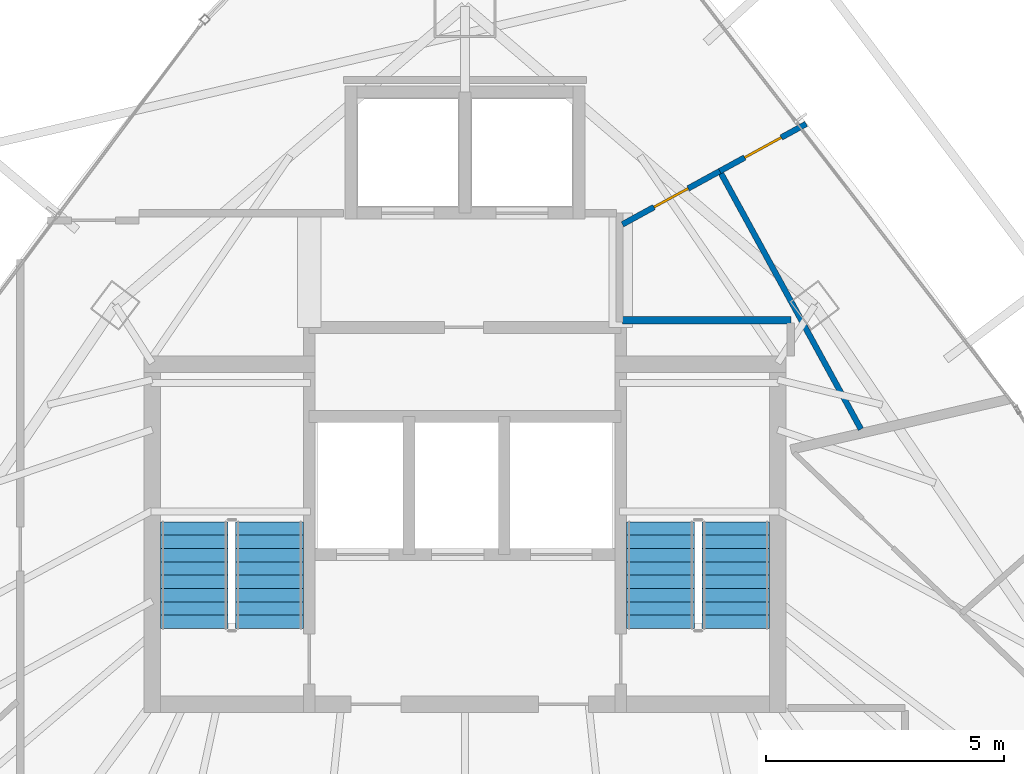
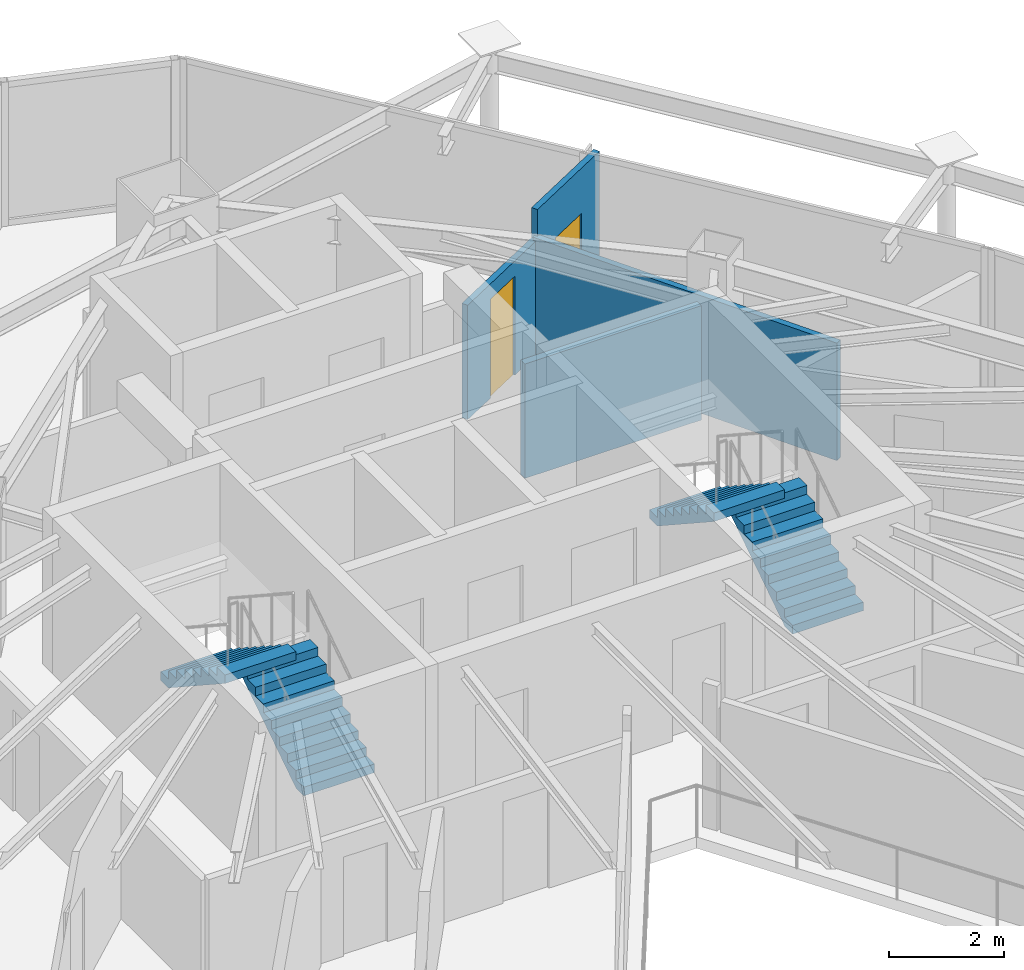
# One storey, part 29 of 32: 4 stair flights, 4 walls, 2 doors, 2 openings, 2 elements without a shape of their own.
"""IFC4 building model written with IfcOpenShell, lengths in metres."""

from ifc_helpers import new_model, si_unit, direction, frame, frame_2d, origin, place, context, subcontext, project, spatial, polyline, rectangle, outline, extrude, material, layer, layer_set, type_object, element, fill, aggregate, save


model = new_model("IFC4")

# Units and contexts
model_context = context("Model", 3, precision=1e-05, world=origin(), true_north=direction((0.0, 1.0)))
body_context = subcontext(model_context, "Body", "Model", "MODEL_VIEW")
ifc_project = project(units=[si_unit("LENGTHUNIT", "METRE"), si_unit("AREAUNIT", "SQUARE_METRE"), si_unit("VOLUMEUNIT", "CUBIC_METRE"), si_unit("PLANEANGLEUNIT", "RADIAN"), si_unit("MASSUNIT", "GRAM", prefix="KILO")], contexts=[model_context])

# Site, building, storey
site_placement = place(None, origin())
site = spatial("IfcSite", under=ifc_project, at=site_placement, CompositionType="ELEMENT")
building_placement = place(site_placement, origin())
building = spatial("IfcBuilding", under=site, at=building_placement, Name="Orvanel Arch Residences", CompositionType="ELEMENT")
storey_placement = place(building_placement, frame((0.0, 0.0, 222.800048828125)))
storey = spatial("IfcBuildingStorey", under=building, at=storey_placement, Name="L63", CompositionType="ELEMENT", Elevation=222.800048828125)

# Wall
ifc_material_1 = material(Name="Fire-rated plasterboard lined steel stud partition", Category="steel")
ifc_layer_1 = layer(ifc_material_1, 0.14990234375)
ifc_layer_set_1 = layer_set([ifc_layer_1], Name="Fire-rated plasterboard lined steel stud partition")
wall_type_1 = type_object("IfcWallType", Name="W-COR-150", PredefinedType="PARTITIONING", material=ifc_layer_set_1)
wall_1_placement = place(storey_placement, frame((36.31005859375, 34.800048828125, 0.0), z_axis=(0.0, 0.0, 1.0), x_axis=(1.0, 0.0, 0.0)))
element("IfcWall", 1, at=wall_1_placement, inside=storey, type_object=wall_type_1, Name="L63 Core Perimeter Partition", PredefinedType="PARTITIONING", context=body_context, shape_type="SweptSolid", body=[
    extrude(rectangle(XDim=3.5400390625, YDim=0.14990234375, at=frame_2d((1.77001953125, 0.0))), origin(), (0.0, 0.0, 1.0), 2.425048828125),
])

# Wall, opening, door
ifc_material_2 = material(Name="Acoustic plasterboard lined twin-stud partition", Category="gypsum")
ifc_layer_2 = layer(ifc_material_2, 0.1201171875)
ifc_layer_set_2 = layer_set([ifc_layer_2], Name="Acoustic plasterboard lined twin-stud partition")
wall_type_2 = type_object("IfcWallType", Name="W-WET-120", PredefinedType="PARTITIONING", material=ifc_layer_set_2)
wall_2_placement = place(storey_placement, frame((38.35693359375, 37.93408203125, 0.0), z_axis=(0.0, 0.0, 1.0), x_axis=(-0.877415192217, -0.479731779714, 0.0)))
wall_2 = element("IfcWall", 2, at=wall_2_placement, inside=storey, type_object=wall_type_2, Name="L63 Studio E Bathroom Partition", PredefinedType="PARTITIONING", context=body_context, shape_type="SweptSolid", body=[
    extrude(rectangle(XDim=2.332763671875, YDim=0.1201171875, at=frame_2d((1.16650390625, 0.0))), origin(), (0.0, 0.0, 1.0), 2.425048828125),
])
opening_1_placement = place(wall_2_placement, frame((0.756103515625, 0.0, 0.0)))
opening_1 = element("IfcOpeningElement", 3, at=opening_1_placement, cuts=wall_2, Name="Opening DW-082", PredefinedType="OPENING", context=body_context, shape_type="SweptSolid", body=[
    extrude(rectangle(XDim=0.820068359375, YDim=2.10009765625, at=frame_2d((0.41015625, 1.050048828125))), frame((0.0, 0.070068359375, 0.0), z_axis=(0.0, -1.0, 0.0), x_axis=(1.0, 0.0, 0.0)), (0.0, 0.0, 1.0), 0.14013671875),
])
ifc_material_3 = material(Name="Solid-core European oak veneer fire door leaf", Category="wood")
door_type_1 = type_object("IfcDoorType", Name="DR-WET-820", OperationType="NOTDEFINED", PredefinedType="DOOR", material=ifc_material_3)
door_1_placement = place(opening_1_placement, origin())
door_1 = element("IfcDoor", 4, at=door_1_placement, inside=storey, type_object=door_type_1, Name="DR-L63-E-BATH L63 Studio E Bathroom Door", OperationType="SINGLE_SWING_RIGHT", OverallHeight=2.10009765625, OverallWidth=0.820068359375, PredefinedType="DOOR", context=body_context, shape_type="SweptSolid", body=[
    extrude(rectangle(XDim=0.820068359375, YDim=2.10009765625, at=frame_2d((0.41015625, 1.050048828125))), frame((0.0, 0.02490234375, 0.0), z_axis=(0.0, -1.0, 0.0), x_axis=(1.0, 0.0, 0.0)), (0.0, 0.0, 1.0), 0.050048828125),
])
fill(opening_1, door_1)

wall_3_placement = place(storey_placement, frame((40.172119140625, 38.927001953125, 0.0), z_axis=(0.0, 0.0, 1.0), x_axis=(-0.877322236726, -0.479901753432, 0.0)))
wall_3 = element("IfcWall", 5, at=wall_3_placement, inside=storey, type_object=wall_type_2, Name="L63 Studio E Internal Partition", PredefinedType="PARTITIONING", context=body_context, shape_type="SweptSolid", body=[
    extrude(rectangle(XDim=2.069091796875, YDim=0.1201171875, at=frame_2d((1.03466796875, 0.0))), origin(), (0.0, 0.0, 1.0), 3.06005859375),
])
opening_2_placement = place(wall_3_placement, frame((0.593994140625, 0.0, 0.0)))
opening_2 = element("IfcOpeningElement", 6, at=opening_2_placement, cuts=wall_3, Name="Opening DI-088", PredefinedType="OPENING", context=body_context, shape_type="SweptSolid", body=[
    extrude(rectangle(XDim=0.8798828125, YDim=2.10009765625, at=frame_2d((0.43994140625, 1.050048828125))), frame((0.0, 0.070068359375, 0.0), z_axis=(0.0, -1.0, 0.0), x_axis=(1.0, 0.0, 0.0)), (0.0, 0.0, 1.0), 0.14013671875),
])
door_type_2 = type_object("IfcDoorType", Name="DR-INT-880", OperationType="NOTDEFINED", PredefinedType="DOOR", material=ifc_material_3)
door_2_placement = place(opening_2_placement, origin())
door_2 = element("IfcDoor", 7, at=door_2_placement, inside=storey, type_object=door_type_2, Name="DR-L63-E-KIT L63 Studio E Kitchenette Door", OperationType="SINGLE_SWING_LEFT", OverallHeight=2.10009765625, OverallWidth=0.8798828125, PredefinedType="DOOR", context=body_context, shape_type="SweptSolid", body=[
    extrude(rectangle(XDim=0.8798828125, YDim=2.10009765625, at=frame_2d((0.43994140625, 1.050048828125))), frame((0.0, 0.02490234375, 0.0), z_axis=(0.0, -1.0, 0.0), x_axis=(1.0, 0.0, 0.0)), (0.0, 0.0, 1.0), 0.050048828125),
])
fill(opening_2, door_2)

# Wall
wall_4_placement = place(storey_placement, frame((38.35693359375, 37.93408203125, 0.0), z_axis=(0.0, 0.0, 1.0), x_axis=(0.479839410825, -0.877356335715, 0.0)))
element("IfcWall", 8, at=wall_4_placement, inside=storey, type_object=wall_type_2, Name="L63 Studio E Bathroom Partition", PredefinedType="PARTITIONING", context=body_context, shape_type="SweptSolid", body=[
    extrude(rectangle(XDim=6.183349609375, YDim=0.1201171875, at=frame_2d((3.091796875, 0.0))), origin(), (0.0, 0.0, 1.0), 2.491943359375),
])

# Stair, stair flights
ifc_material_4 = material(Name="Precast concrete N50 (50 MPa)", Category="concrete")
stair_type = type_object("IfcStairType", Name="STR-DOG-184", PredefinedType="USERDEFINED", material=ifc_material_4)
stair_1_placement = place(storey_placement, origin())
stair_1 = element("IfcStair", 9, at=stair_1_placement, inside=storey, type_object=stair_type, Name="L63 Fire-Isolated Core Exit Stair 1", ObjectType="TWO_RETURN_STAIR", PredefinedType="USERDEFINED")
stair_flight_type_1 = type_object("IfcStairFlightType", Name="SFL-C1-184", PredefinedType="STRAIGHT", material=ifc_material_4)
stair_flight_1_placement = place(storey_placement, frame((28.889892578125, 28.320068359375, 0.0), z_axis=(0.0, 0.0, 1.0), x_axis=(0.0, 1.0, 0.0)))
stair_flight_1 = element("IfcStairFlight", 10, at=stair_flight_1_placement, type_object=stair_flight_type_1, Name="ST-1 flight 1", NumberOfRisers=9, NumberOfTreads=8, PredefinedType="STRAIGHT", RiserHeight=0.183333333, TreadLength=0.28, context=body_context, shape_type="SweptSolid", body=[
    extrude(outline(polyline([(0.0, 0.0), (0.0, 0.183349609375), (0.280029296875, 0.183349609375), (0.280029296875, 0.36669921875), (0.56005859375, 0.36669921875), (0.56005859375, 0.550048828125), (0.840087890625, 0.550048828125), (0.840087890625, 0.7333984375), (1.1201171875, 0.7333984375), (1.1201171875, 0.916748046875), (1.39990234375, 0.916748046875), (1.39990234375, 1.10009765625), (1.679931640625, 1.10009765625), (1.679931640625, 1.283447265625), (1.9599609375, 1.283447265625), (1.9599609375, 1.466552734375), (2.239990234375, 1.466552734375), (2.239990234375, 1.64990234375), (2.239990234375, 1.28759765625), (0.273681640625, 0.0), (0.0, 0.0)])), frame((0.0, 0.7099609375, 0.0), z_axis=(0.0, -1.0, 0.0), x_axis=(1.0, 0.0, 0.0)), (0.0, 0.0, 1.0), 1.419921875),
])
stair_flight_2_placement = place(storey_placement, frame((27.31005859375, 30.56005859375, 1.64990234375), z_axis=(0.0, 0.0, 1.0), x_axis=(0.0, -1.0, 0.0)))
stair_flight_2 = element("IfcStairFlight", 11, at=stair_flight_2_placement, type_object=stair_flight_type_1, Name="ST-1 flight 2", NumberOfRisers=9, NumberOfTreads=8, PredefinedType="STRAIGHT", RiserHeight=0.183333333, TreadLength=0.28, context=body_context, shape_type="SweptSolid", body=[
    extrude(outline(polyline([(0.0, 0.0), (0.0, 0.183349609375), (0.280029296875, 0.183349609375), (0.280029296875, 0.36669921875), (0.56005859375, 0.36669921875), (0.56005859375, 0.550048828125), (0.840087890625, 0.550048828125), (0.840087890625, 0.7333984375), (1.1201171875, 0.7333984375), (1.1201171875, 0.916748046875), (1.39990234375, 0.916748046875), (1.39990234375, 1.10009765625), (1.679931640625, 1.10009765625), (1.679931640625, 1.283447265625), (1.9599609375, 1.283447265625), (1.9599609375, 1.466552734375), (2.239990234375, 1.466552734375), (2.239990234375, 1.64990234375), (2.239990234375, 1.28759765625), (0.273681640625, 0.0), (0.0, 0.0)])), frame((0.0, 0.7099609375, 0.0), z_axis=(0.0, -1.0, 0.0), x_axis=(1.0, 0.0, 0.0)), (0.0, 0.0, 1.0), 1.419921875),
])
aggregate(stair_1, [stair_flight_1, stair_flight_2])

stair_2_placement = place(storey_placement, origin())
stair_2 = element("IfcStair", 12, at=stair_2_placement, inside=storey, type_object=stair_type, Name="L63 Fire-Isolated Core Exit Stair 2", ObjectType="TWO_RETURN_STAIR", PredefinedType="USERDEFINED")
stair_flight_type_2 = type_object("IfcStairFlightType", Name="SFL-C2-184", PredefinedType="STRAIGHT", material=ifc_material_4)
stair_flight_3_placement = place(storey_placement, frame((38.68994140625, 28.320068359375, 0.0), z_axis=(0.0, 0.0, 1.0), x_axis=(0.0, 1.0, 0.0)))
stair_flight_3 = element("IfcStairFlight", 13, at=stair_flight_3_placement, type_object=stair_flight_type_2, Name="ST-2 flight 1", NumberOfRisers=9, NumberOfTreads=8, PredefinedType="STRAIGHT", RiserHeight=0.183333333, TreadLength=0.28, context=body_context, shape_type="SweptSolid", body=[
    extrude(outline(polyline([(0.0, 0.0), (0.0, 0.183349609375), (0.280029296875, 0.183349609375), (0.280029296875, 0.36669921875), (0.56005859375, 0.36669921875), (0.56005859375, 0.550048828125), (0.840087890625, 0.550048828125), (0.840087890625, 0.7333984375), (1.1201171875, 0.7333984375), (1.1201171875, 0.916748046875), (1.39990234375, 0.916748046875), (1.39990234375, 1.10009765625), (1.679931640625, 1.10009765625), (1.679931640625, 1.283447265625), (1.9599609375, 1.283447265625), (1.9599609375, 1.466552734375), (2.239990234375, 1.466552734375), (2.239990234375, 1.64990234375), (2.239990234375, 1.28759765625), (0.273681640625, 0.0), (0.0, 0.0)])), frame((0.0, 0.7099609375, 0.0), z_axis=(0.0, -1.0, 0.0), x_axis=(1.0, 0.0, 0.0)), (0.0, 0.0, 1.0), 1.419921875),
])
stair_flight_4_placement = place(storey_placement, frame((37.110107421875, 30.56005859375, 1.64990234375), z_axis=(0.0, 0.0, 1.0), x_axis=(0.0, -1.0, 0.0)))
stair_flight_4 = element("IfcStairFlight", 14, at=stair_flight_4_placement, type_object=stair_flight_type_2, Name="ST-2 flight 2", NumberOfRisers=9, NumberOfTreads=8, PredefinedType="STRAIGHT", RiserHeight=0.183333333, TreadLength=0.28, context=body_context, shape_type="SweptSolid", body=[
    extrude(outline(polyline([(0.0, 0.0), (0.0, 0.183349609375), (0.280029296875, 0.183349609375), (0.280029296875, 0.36669921875), (0.56005859375, 0.36669921875), (0.56005859375, 0.550048828125), (0.840087890625, 0.550048828125), (0.840087890625, 0.7333984375), (1.1201171875, 0.7333984375), (1.1201171875, 0.916748046875), (1.39990234375, 0.916748046875), (1.39990234375, 1.10009765625), (1.679931640625, 1.10009765625), (1.679931640625, 1.283447265625), (1.9599609375, 1.283447265625), (1.9599609375, 1.466552734375), (2.239990234375, 1.466552734375), (2.239990234375, 1.64990234375), (2.239990234375, 1.28759765625), (0.273681640625, 0.0), (0.0, 0.0)])), frame((0.0, 0.7099609375, 0.0), z_axis=(0.0, -1.0, 0.0), x_axis=(1.0, 0.0, 0.0)), (0.0, 0.0, 1.0), 1.419921875),
])
aggregate(stair_2, [stair_flight_3, stair_flight_4])

save(model, "model.ifc")
